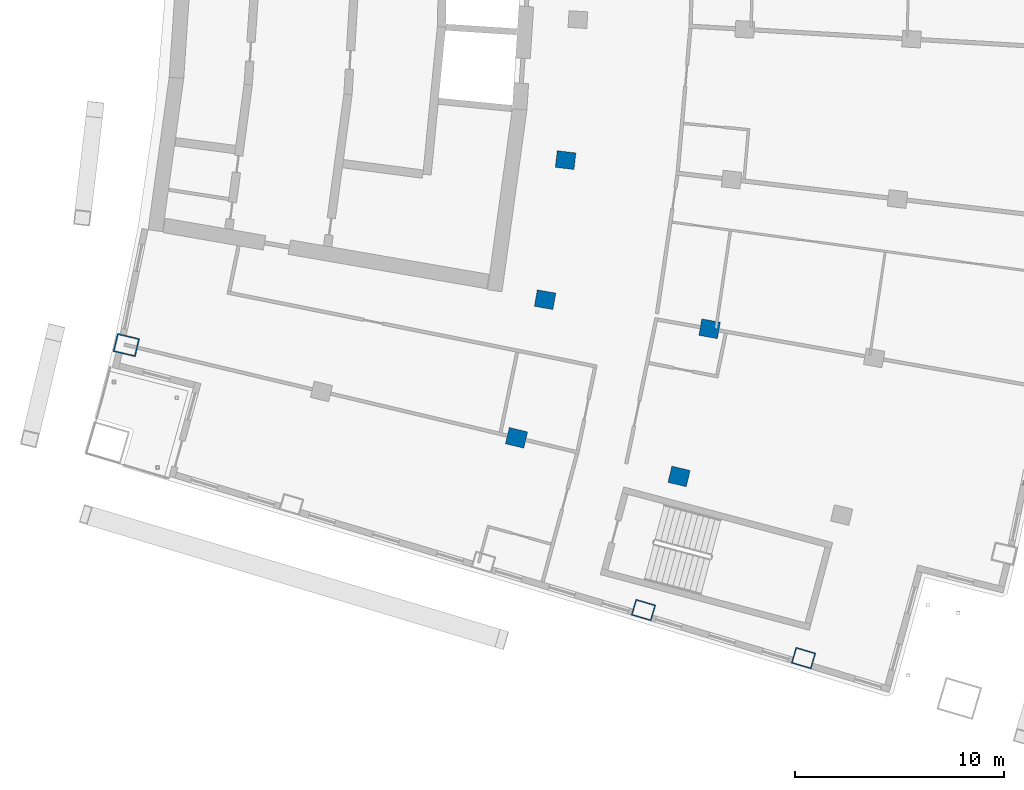
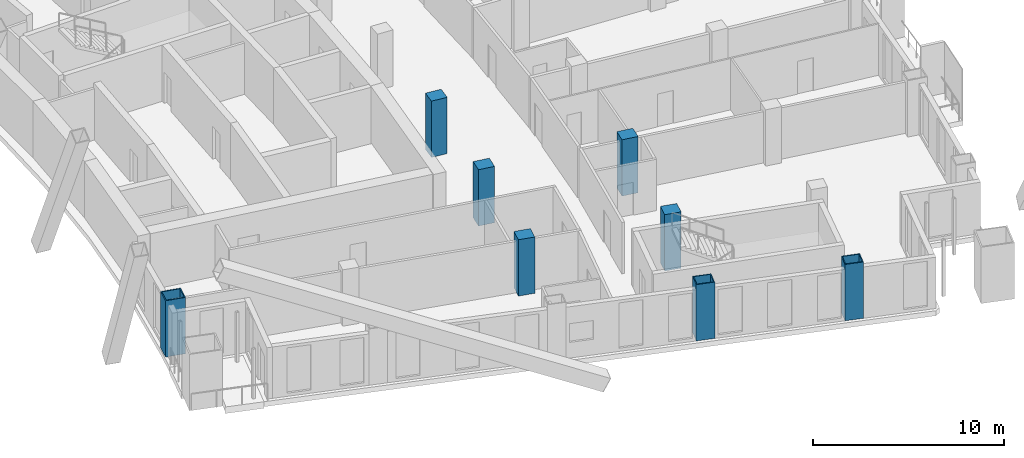
# One storey, part 2 of 20: 8 columns.
"""IFC4 building model written with IfcOpenShell, lengths in metres."""

from ifc_helpers import new_model, si_unit, direction, frame, origin, origin_2d, place, context, subcontext, project, spatial, rectangle, hollow_rectangle, extrude, material, material_profile, profile_set, type_object, element, save


model = new_model("IFC4")

# Units and contexts
model_context = context("Model", 3, precision=1e-05, world=origin(), true_north=direction((0.0, 1.0)))
body_context = subcontext(model_context, "Body", "Model", "MODEL_VIEW")
ifc_project = project(units=[si_unit("LENGTHUNIT", "METRE"), si_unit("AREAUNIT", "SQUARE_METRE"), si_unit("VOLUMEUNIT", "CUBIC_METRE"), si_unit("PLANEANGLEUNIT", "RADIAN"), si_unit("MASSUNIT", "GRAM", prefix="KILO")], contexts=[model_context])

# Site, building, storey
site_placement = place(None, origin())
site = spatial("IfcSite", under=ifc_project, at=site_placement, CompositionType="ELEMENT")
building_placement = place(site_placement, origin())
building = spatial("IfcBuilding", under=site, at=building_placement, Name="Alderwake Tower", CompositionType="ELEMENT")
storey_placement = place(building_placement, frame((0.0, 0.0, 149.60009765625)))
storey = spatial("IfcBuildingStorey", under=building, at=storey_placement, Name="L36", CompositionType="ELEMENT", Elevation=149.60009765625)

# Columns
ifc_material_1 = material(Name="Steel ASTM A572 Grade 50 concrete filled C70/85", Category="concrete")
ifc_material_profile_1 = material_profile(ifc_material_1, hollow_rectangle(XDim=0.800048828125, YDim=1.0, WallThickness=0.054931640625, at=origin_2d()), Name="BOX 1000X800X55")
ifc_profile_set_1 = profile_set([ifc_material_profile_1], Name="Steel ASTM A572 Grade 50 concrete filled C70/85")
column_type_1 = type_object("IfcColumnType", Name="End column Z3", PredefinedType="COLUMN", material=ifc_profile_set_1)
for number, where, z_axis, x_axis, name in (
    (1, (38.74267578125, 25.9765625, 0.0), (0.0, 0.0, 1.0), (0.282903979359, 0.959148235917, 0.0), "Column R02-C3"),
    (2, (46.40478515625, 23.676025390625, 0.0), (0.0, 0.0, 1.0), (0.283185204145, 0.959065242908, 0.0), "Column R02-C4"),
):
    element("IfcColumn", number, at=place(storey_placement, frame(where, z_axis=z_axis, x_axis=x_axis)), inside=storey, type_object=column_type_1, Name=name, PredefinedType="COLUMN", context=body_context, shape_type="SweptSolid", body=[
        extrude(hollow_rectangle(XDim=0.800048828125, YDim=1.0, WallThickness=0.054931640625, at=origin_2d()), origin(), (0.0, 0.0, 1.0), 3.599853515625),
    ])
ifc_material_2 = material(Name="Concrete C70/85", Category="concrete")
ifc_material_profile_2 = material_profile(ifc_material_2, rectangle(XDim=0.800048828125, YDim=0.89990234375, at=origin_2d()), Name="RC 900X800")
ifc_profile_set_2 = profile_set([ifc_material_profile_2], Name="Concrete C70/85")
column_type_2 = type_object("IfcColumnType", Name="Interior column Z3", PredefinedType="COLUMN", material=ifc_profile_set_2)
for number, where, z_axis, x_axis, name in (
    (3, (32.661865234375, 34.224609375, 0.0), (0.0, 0.0, 1.0), (0.231221547198, 0.972901123502, 0.0), "Column R03-C2"),
    (4, (40.4453125, 32.374755859375, 0.0), (0.0, 0.0, 1.0), (0.231221547198, 0.972901123502, 0.0), "Column R03-C3"),
    (5, (34.03125, 40.83837890625, 0.0), (0.0, 0.0, 1.0), (0.174108800747, 0.984726421654, 0.0), "Column R04-C2"),
    (6, (41.9091796875, 39.4453125, 0.0), (0.0, 0.0, 1.0), (0.174108800747, 0.984726421654, 0.0), "Column R04-C3"),
    (7, (35.0126953125, 47.5205078125, 0.0), (0.0, 0.0, 1.0), (0.116402054316, 0.993202175668, 0.0), "Column R05-C2"),
):
    element("IfcColumn", number, at=place(storey_placement, frame(where, z_axis=z_axis, x_axis=x_axis)), inside=storey, type_object=column_type_2, Name=name, PredefinedType="COLUMN", context=body_context, shape_type="SweptSolid", body=[
        extrude(rectangle(XDim=0.800048828125, YDim=0.89990234375, at=origin_2d()), origin(), (0.0, 0.0, 1.0), 3.599853515625),
    ])
ifc_material_3 = material(Name="Steel ASTM A572 Grade 50 concrete filled C70/85", Category="concrete")
ifc_material_profile_3 = material_profile(ifc_material_3, hollow_rectangle(XDim=0.89990234375, YDim=1.10009765625, WallThickness=0.06005859375, at=origin_2d()), Name="BOX 1100X900X60")
ifc_profile_set_3 = profile_set([ifc_material_profile_3], Name="Steel ASTM A572 Grade 50 concrete filled C70/85")
column_type_3 = type_object("IfcColumnType", Name="Perimeter column Z3", PredefinedType="COLUMN", material=ifc_profile_set_3)
column_placement = place(storey_placement, frame((13.982177734375, 38.6640625, 0.0), z_axis=(0.0, 0.0, 1.0), x_axis=(0.231221547198, 0.972901123502, 0.0)))
element("IfcColumn", 8, at=column_placement, inside=storey, type_object=column_type_3, Name="Column R03-C0", PredefinedType="COLUMN", context=body_context, shape_type="SweptSolid", body=[
    extrude(hollow_rectangle(XDim=0.89990234375, YDim=1.10009765625, WallThickness=0.06005859375, at=origin_2d()), origin(), (0.0, 0.0, 1.0), 3.599853515625),
])

save(model, "model.ifc")
